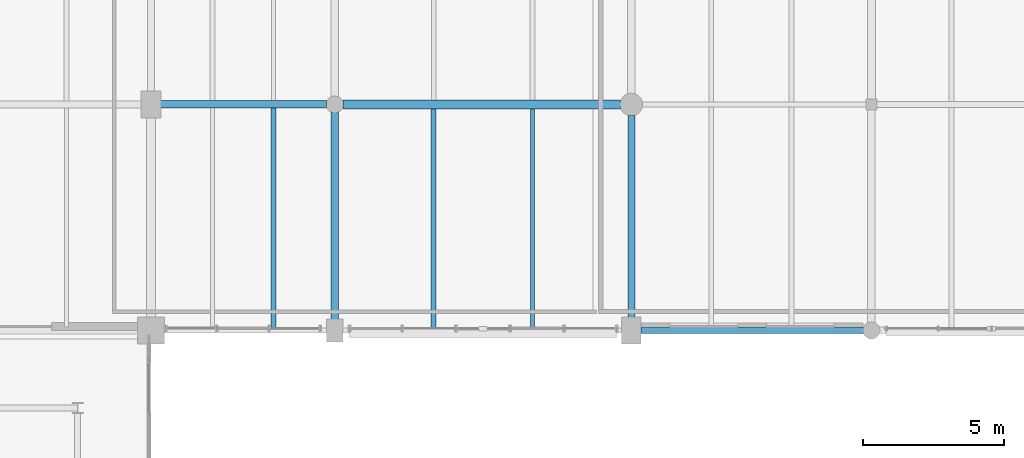
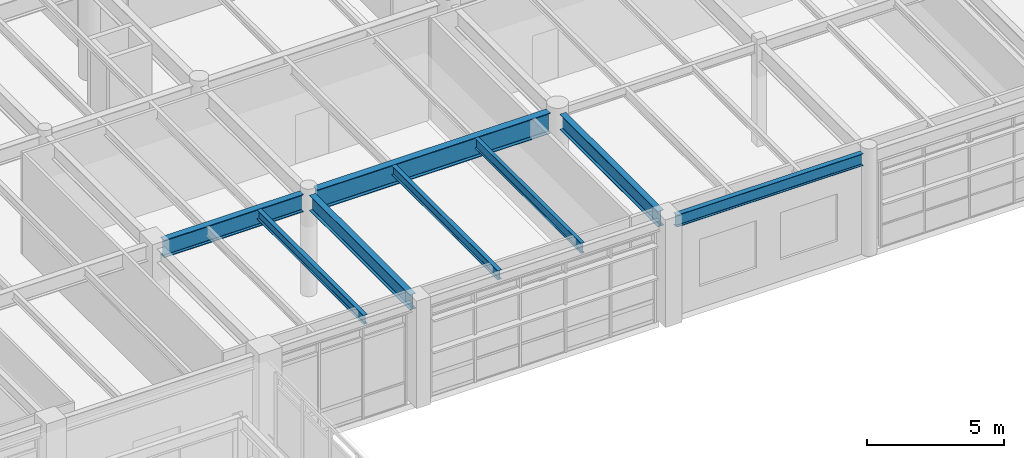
# One storey, part 137 of 200: 8 beams.
"""IFC4 building model written with IfcOpenShell, lengths in metres."""

from ifc_helpers import new_model, si_unit, direction, frame, origin, origin_2d, place, context, subcontext, project, spatial, i_section, extrude, material, material_profile, profile_set, type_object, element, save


model = new_model("IFC4")

# Units and contexts
model_context = context("Model", 3, precision=1e-05, world=origin(), true_north=direction((0.0, 1.0)))
body_context = subcontext(model_context, "Body", "Model", "MODEL_VIEW")
ifc_project = project(units=[si_unit("LENGTHUNIT", "METRE"), si_unit("AREAUNIT", "SQUARE_METRE"), si_unit("VOLUMEUNIT", "CUBIC_METRE"), si_unit("PLANEANGLEUNIT", "RADIAN"), si_unit("MASSUNIT", "GRAM", prefix="KILO"), si_unit("THERMODYNAMICTEMPERATUREUNIT", "KELVIN"), si_unit("POWERUNIT", "WATT")], contexts=[model_context])

# Site, building, storey
site_placement = place(None, origin())
site = spatial("IfcSite", under=ifc_project, at=site_placement, CompositionType="ELEMENT")
building_placement = place(site_placement, origin())
building = spatial("IfcBuilding", under=site, at=building_placement, Name="Tepalcoro Natatorium and Aquatics Centre", CompositionType="ELEMENT")
storey_placement = place(building_placement, frame((0.0, 0.0, 5.39990234375)))
storey = spatial("IfcBuildingStorey", under=building, at=storey_placement, Name="L01", CompositionType="ELEMENT", Elevation=5.39990234375)

# Beams
ifc_material = material(Name="Steel ASTM A992 Grade 50 (Fy 345 MPa)", Category="steel")
ifc_material_profile_1 = material_profile(ifc_material, i_section(OverallWidth=0.25390625, OverallDepth=0.68798828125, WebThickness=0.012939453125, FlangeThickness=0.02099609375, FilletRadius=0.013916015625, at=origin_2d()), Name="W27X102")
ifc_profile_set_1 = profile_set([ifc_material_profile_1], Name="Steel ASTM A992 Grade 50 (Fy 345 MPa)")
beam_type_1 = type_object("IfcBeamType", Name="BM_W27x102", PredefinedType="BEAM", material=ifc_profile_set_1)
beam_1_placement = place(storey_placement, frame((131.5, 86.385009765625, 4.201171875), z_axis=(0.0, 1.0, 0.0), x_axis=(-1.0, 0.0, 0.0)))
element("IfcBeam", 1, at=beam_1_placement, inside=storey, type_object=beam_type_1, Name="V5 L01 Grid Girder Y", PredefinedType="BEAM", context=body_context, shape_type="SweptSolid", body=[
    extrude(i_section(OverallWidth=0.25390625, OverallDepth=0.68798828125, WebThickness=0.012939453125, FlangeThickness=0.02099609375, FilletRadius=0.013916015625, at=origin_2d()), origin(), (0.0, 0.0, 1.0), 7.330078125),
])
ifc_material_profile_2 = material_profile(ifc_material, i_section(OverallWidth=0.25390625, OverallDepth=0.700927734375, WebThickness=0.014892578125, FlangeThickness=0.028076171875, FilletRadius=0.013916015625, at=origin_2d()), Name="W27X129")
ifc_profile_set_2 = profile_set([ifc_material_profile_2], Name="Steel ASTM A992 Grade 50 (Fy 345 MPa)")
beam_type_2 = type_object("IfcBeamType", Name="BM_W27x129", PredefinedType="BEAM", material=ifc_profile_set_2)
beam_2_placement = place(storey_placement, frame((142.0, 86.4599609375, 4.194580078125), z_axis=(0.0, 1.0, 0.0), x_axis=(-1.0, 0.0, 0.0)))
element("IfcBeam", 2, at=beam_2_placement, inside=storey, type_object=beam_type_2, Name="V5 L01 Grid Girder Y", PredefinedType="BEAM", context=body_context, shape_type="SweptSolid", body=[
    extrude(i_section(OverallWidth=0.25390625, OverallDepth=0.700927734375, WebThickness=0.014892578125, FlangeThickness=0.028076171875, FilletRadius=0.013916015625, at=origin_2d()), origin(), (0.0, 0.0, 1.0), 7.155029296875),
])
ifc_material_profile_3 = material_profile(ifc_material, i_section(OverallWidth=0.26708984375, OverallDepth=0.780029296875, WebThickness=0.01708984375, FlangeThickness=0.030029296875, FilletRadius=0.013916015625, at=origin_2d()), Name="W30X148")
ifc_profile_set_3 = profile_set([ifc_material_profile_3], Name="Steel ASTM A992 Grade 50 (Fy 345 MPa)")
beam_type_3 = type_object("IfcBeamType", Name="BM_W30x148", PredefinedType="BEAM", material=ifc_profile_set_3)
beam_3_placement = place(storey_placement, frame((125.3349609375, 94.0, 4.155029296875), z_axis=(1.0, 0.0, 0.0), x_axis=(0.0, 1.0, 0.0)))
element("IfcBeam", 3, at=beam_3_placement, inside=storey, type_object=beam_type_3, Name="V5 L01 Grid Girder X", PredefinedType="BEAM", context=body_context, shape_type="SweptSolid", body=[
    extrude(i_section(OverallWidth=0.26708984375, OverallDepth=0.780029296875, WebThickness=0.01708984375, FlangeThickness=0.030029296875, FilletRadius=0.013916015625, at=origin_2d()), origin(), (0.0, 0.0, 1.0), 5.880126953125),
])
ifc_material_profile_4 = material_profile(ifc_material, i_section(OverallWidth=0.304931640625, OverallDepth=0.9189453125, WebThickness=0.01708984375, FlangeThickness=0.028076171875, FilletRadius=0.013916015625, at=origin_2d()), Name="W36X170")
ifc_profile_set_4 = profile_set([ifc_material_profile_4], Name="Steel ASTM A992 Grade 50 (Fy 345 MPa)")
beam_type_4 = type_object("IfcBeamType", Name="BM_W36x170", PredefinedType="BEAM", material=ifc_profile_set_4)
beam_4_placement = place(storey_placement, frame((131.784912109375, 94.0, 4.085693359375), z_axis=(1.0, 0.0, 0.0), x_axis=(0.0, 1.0, 0.0)))
element("IfcBeam", 4, at=beam_4_placement, inside=storey, type_object=beam_type_4, Name="V5 L01 Grid Girder X", PredefinedType="BEAM", context=body_context, shape_type="SweptSolid", body=[
    extrude(i_section(OverallWidth=0.304931640625, OverallDepth=0.9189453125, WebThickness=0.01708984375, FlangeThickness=0.028076171875, FilletRadius=0.013916015625, at=origin_2d()), origin(), (0.0, 0.0, 1.0), 9.830078125),
])
ifc_material_profile_5 = material_profile(ifc_material, i_section(OverallWidth=0.178955078125, OverallDepth=0.409912109375, WebThickness=0.009033203125, FlangeThickness=0.013916015625, FilletRadius=0.013916015625, at=origin_2d()), Name="W16X45")
ifc_profile_set_5 = profile_set([ifc_material_profile_5], Name="Steel ASTM A992 Grade 50 (Fy 345 MPa)")
beam_type_5 = type_object("IfcBeamType", Name="JS_W16x45", PredefinedType="JOIST", material=ifc_profile_set_5)
beam_5_placement = place(storey_placement, frame((129.333251953125, 86.090087890625, 4.340087890625), z_axis=(0.0, 1.0, 0.0), x_axis=(-1.0, 0.0, 0.0)))
element("IfcBeam", 5, at=beam_5_placement, inside=storey, type_object=beam_type_5, Name="V5 L01 Floor Joist", PredefinedType="JOIST", context=body_context, shape_type="SweptSolid", body=[
    extrude(i_section(OverallWidth=0.178955078125, OverallDepth=0.409912109375, WebThickness=0.009033203125, FlangeThickness=0.013916015625, FilletRadius=0.013916015625, at=origin_2d()), origin(), (0.0, 0.0, 1.0), 7.7763671875),
])
beam_6_placement = place(storey_placement, frame((135.0, 86.095458984375, 4.340087890625), z_axis=(0.0, 1.0, 0.0), x_axis=(-1.0, 0.0, 0.0)))
element("IfcBeam", 6, at=beam_6_placement, inside=storey, type_object=beam_type_5, Name="V5 L01 Floor Joist", PredefinedType="JOIST", context=body_context, shape_type="SweptSolid", body=[
    extrude(i_section(OverallWidth=0.178955078125, OverallDepth=0.409912109375, WebThickness=0.009033203125, FlangeThickness=0.013916015625, FilletRadius=0.013916015625, at=origin_2d()), origin(), (0.0, 0.0, 1.0), 7.751953125),
])
ifc_material_profile_6 = material_profile(ifc_material, i_section(OverallWidth=0.153076171875, OverallDepth=0.455078125, WebThickness=0.008056640625, FlangeThickness=0.012939453125, FilletRadius=0.013916015625, at=origin_2d()), Name="W18X40")
ifc_profile_set_6 = profile_set([ifc_material_profile_6], Name="Steel ASTM A992 Grade 50 (Fy 345 MPa)")
beam_type_6 = type_object("IfcBeamType", Name="JS_W18x40", PredefinedType="JOIST", material=ifc_profile_set_6)
beam_7_placement = place(storey_placement, frame((138.5, 86.095458984375, 4.317626953125), z_axis=(0.0, 1.0, 0.0), x_axis=(-1.0, 0.0, 0.0)))
element("IfcBeam", 7, at=beam_7_placement, inside=storey, type_object=beam_type_6, Name="V5 L01 Floor Joist", PredefinedType="JOIST", context=body_context, shape_type="SweptSolid", body=[
    extrude(i_section(OverallWidth=0.153076171875, OverallDepth=0.455078125, WebThickness=0.008056640625, FlangeThickness=0.012939453125, FilletRadius=0.013916015625, at=origin_2d()), origin(), (0.0, 0.0, 1.0), 7.751953125),
])
ifc_material_profile_7 = material_profile(ifc_material, i_section(OverallWidth=0.2099609375, OverallDepth=0.535888671875, WebThickness=0.010986328125, FlangeThickness=0.01708984375, FilletRadius=0.013916015625, at=origin_2d()), Name="W21X68")
ifc_profile_set_7 = profile_set([ifc_material_profile_7], Name="Steel ASTM A992 Grade 50 (Fy 345 MPa)")
beam_type_7 = type_object("IfcBeamType", Name="SP_W21x68", PredefinedType="SPANDREL", material=ifc_profile_set_7)
beam_8_placement = place(storey_placement, frame((142.3349609375, 86.0, 4.277099609375), z_axis=(1.0, 0.0, 0.0), x_axis=(0.0, 1.0, 0.0)))
element("IfcBeam", 8, at=beam_8_placement, inside=storey, type_object=beam_type_7, Name="V5 L01 Grid Girder X", PredefinedType="SPANDREL", context=body_context, shape_type="SweptSolid", body=[
    extrude(i_section(OverallWidth=0.2099609375, OverallDepth=0.535888671875, WebThickness=0.010986328125, FlangeThickness=0.01708984375, FilletRadius=0.013916015625, at=origin_2d()), origin(), (0.0, 0.0, 1.0), 7.880126953125),
])

save(model, "model.ifc")
